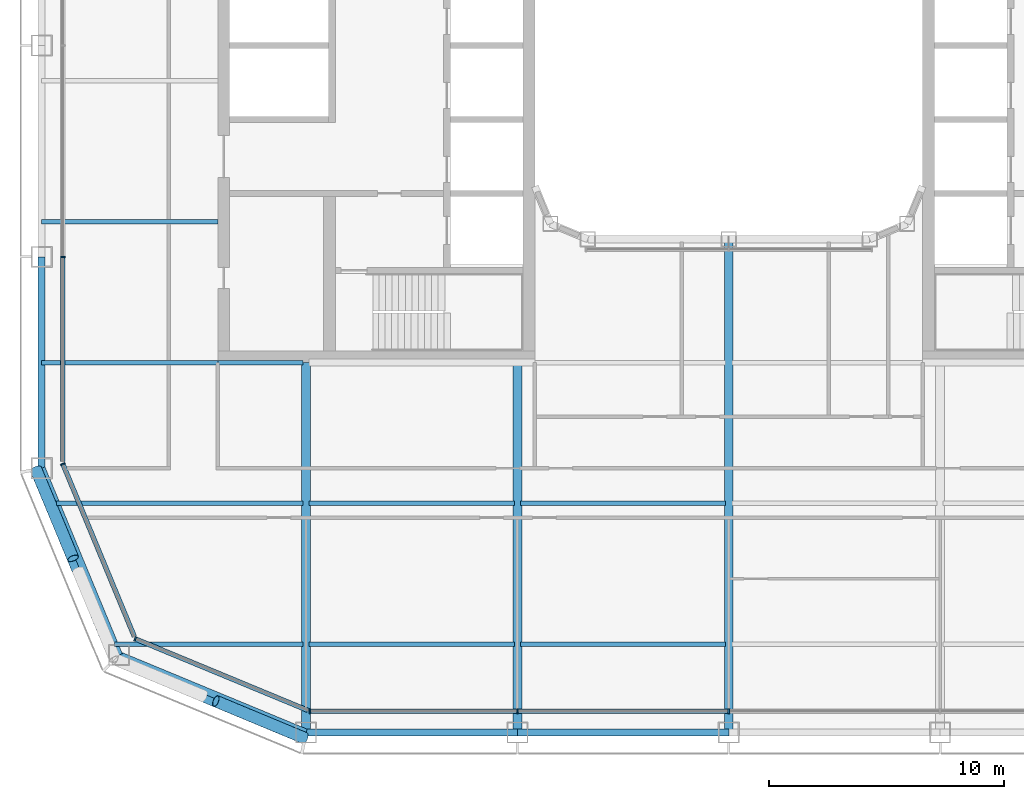
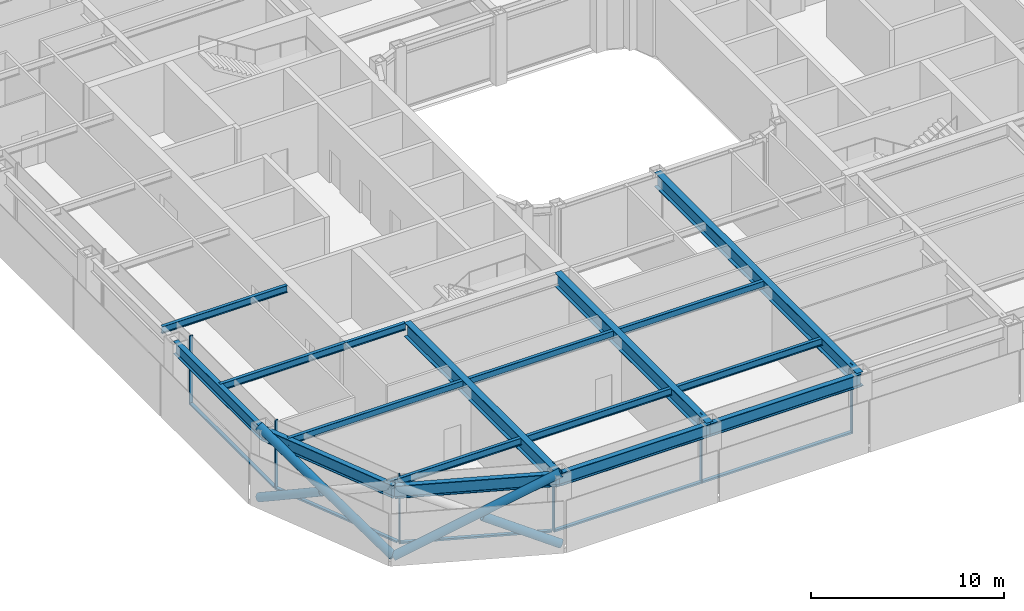
# One storey, part 2 of 23: 17 beams, 15 members, 4 elements without a shape of their own.
"""IFC4 building model written with IfcOpenShell, lengths in metres."""

from ifc_helpers import new_model, si_unit, direction, frame, origin, origin_2d, place, context, subcontext, project, spatial, rectangle, hollow_circle, i_section, extrude, material, layer, layer_set, material_profile, profile_set, type_object, element, aggregate, save


model = new_model("IFC4")

# Units and contexts
model_context = context("Model", 3, precision=1e-05, world=origin(), true_north=direction((0.0, 1.0)))
body_context = subcontext(model_context, "Body", "Model", "MODEL_VIEW")
ifc_project = project(units=[si_unit("LENGTHUNIT", "METRE"), si_unit("AREAUNIT", "SQUARE_METRE"), si_unit("VOLUMEUNIT", "CUBIC_METRE"), si_unit("PLANEANGLEUNIT", "RADIAN"), si_unit("MASSUNIT", "GRAM", prefix="KILO")], contexts=[model_context])

# Site, building, storey
site_placement = place(None, origin())
site = spatial("IfcSite", under=ifc_project, at=site_placement, CompositionType="ELEMENT")
building_placement = place(site_placement, origin())
building = spatial("IfcBuilding", under=site, at=building_placement, Name="Siwar Civic Tower", CompositionType="ELEMENT")
storey_placement = place(building_placement, frame((0.0, 0.0, 167.699951171875)))
storey = spatial("IfcBuildingStorey", under=building, at=storey_placement, Name="L36", CompositionType="ELEMENT", Elevation=167.699951171875)

# Curtain wall, members
ifc_material_1 = material(Name="Aluminium and glass", Category="aluminium")
ifc_layer_1 = layer(ifc_material_1, 0.199951171875)
ifc_layer_set_1 = layer_set([ifc_layer_1], Name="Aluminium and glass")
curtain_wall_type_1 = type_object("IfcCurtainWallType", Name="ENV-CW-B", PredefinedType="NOTDEFINED", material=ifc_layer_set_1)
curtain_wall_1_placement = place(storey_placement, origin())
curtain_wall_1 = element("IfcCurtainWall", 1, at=curtain_wall_1_placement, inside=storey, type_object=curtain_wall_type_1, Name="Curtain wall B S", PredefinedType="NOTDEFINED")
ifc_material_2 = material(Name="Aluminium 6063-T6", Category="aluminium")
ifc_material_profile_1 = material_profile(ifc_material_2, rectangle(XDim=0.199951171875, YDim=0.06494140625, at=origin_2d()), Name="AL 200x65")
ifc_profile_set_1 = profile_set([ifc_material_profile_1], Name="Aluminium 6063-T6")
member_type_1 = type_object("IfcMemberType", Name="ENV-MULLION-B", PredefinedType="MULLION", material=ifc_profile_set_1)
member_1_placement = place(storey_placement, frame((-17.821044921875, -28.35009765625, 0.0), z_axis=(0.0, 0.0, 1.0), x_axis=(0.0, 1.0, 0.0)))
member_1 = element("IfcMember", 2, at=member_1_placement, type_object=member_type_1, Name="Mullion B S 1", PredefinedType="MULLION", context=body_context, shape_type="SweptSolid", body=[
    extrude(rectangle(XDim=0.199951171875, YDim=0.06494140625, at=origin_2d()), origin(), (0.0, 0.0, 1.0), 4.35009765625),
])
member_2_placement = place(storey_placement, frame((-9.0, -28.35009765625, 0.0), z_axis=(0.0, 0.0, 1.0), x_axis=(0.0, 1.0, 0.0)))
member_2 = element("IfcMember", 3, at=member_2_placement, type_object=member_type_1, Name="Mullion B S 2", PredefinedType="MULLION", context=body_context, shape_type="SweptSolid", body=[
    extrude(rectangle(XDim=0.199951171875, YDim=0.06494140625, at=origin_2d()), origin(), (0.0, 0.0, 1.0), 4.35009765625),
])
member_3_placement = place(storey_placement, frame((0.0, -28.35009765625, 0.0), z_axis=(0.0, 0.0, 1.0), x_axis=(0.0, 1.0, 0.0)))
member_3 = element("IfcMember", 4, at=member_3_placement, type_object=member_type_1, Name="Mullion B S 3", PredefinedType="MULLION", context=body_context, shape_type="SweptSolid", body=[
    extrude(rectangle(XDim=0.199951171875, YDim=0.06494140625, at=origin_2d()), origin(), (0.0, 0.0, 1.0), 4.35009765625),
])

# Curtain wall, member
curtain_wall_2_placement = place(storey_placement, origin())
curtain_wall_2 = element("IfcCurtainWall", 5, at=curtain_wall_2_placement, inside=storey, type_object=curtain_wall_type_1, Name="Curtain wall B W", PredefinedType="NOTDEFINED")
member_4_placement = place(storey_placement, frame((-28.35009765625, -9.0, 0.0), z_axis=(0.0, 0.0, 1.0), x_axis=(1.0, 0.0, 0.0)))
member_4 = element("IfcMember", 6, at=member_4_placement, type_object=member_type_1, Name="Mullion B W 4", PredefinedType="MULLION", context=body_context, shape_type="SweptSolid", body=[
    extrude(rectangle(XDim=0.199951171875, YDim=0.06494140625, at=origin_2d()), origin(), (0.0, 0.0, 1.0), 4.35009765625),
])

ifc_material_3 = material(Name="Aluminium clad insulated panel", Category="aluminium")
ifc_layer_2 = layer(ifc_material_3, 0.199951171875)
ifc_layer_set_2 = layer_set([ifc_layer_2], Name="Aluminium clad insulated panel")
curtain_wall_type_2 = type_object("IfcCurtainWallType", Name="ENV-CW-BX", PredefinedType="NOTDEFINED", material=ifc_layer_set_2)
curtain_wall_3_placement = place(storey_placement, origin())
curtain_wall_3 = element("IfcCurtainWall", 7, at=curtain_wall_3_placement, inside=storey, type_object=curtain_wall_type_2, Name="Curtain wall B SW1", PredefinedType="NOTDEFINED")
member_5_placement = place(storey_placement, frame((-28.35009765625, -17.821044921875, 0.0), z_axis=(0.0, 0.0, 1.0), x_axis=(0.923879532511, 0.382683432365, 0.0)))
member_5 = element("IfcMember", 8, at=member_5_placement, type_object=member_type_1, Name="Mullion B SW1 1", PredefinedType="MULLION", context=body_context, shape_type="SweptSolid", body=[
    extrude(rectangle(XDim=0.199951171875, YDim=0.06494140625, at=origin_2d()), origin(), (0.0, 0.0, 1.0), 4.35009765625),
])

curtain_wall_4_placement = place(storey_placement, origin())
curtain_wall_4 = element("IfcCurtainWall", 9, at=curtain_wall_4_placement, inside=storey, type_object=curtain_wall_type_2, Name="Curtain wall B SW2", PredefinedType="NOTDEFINED")
member_6_placement = place(storey_placement, frame((-25.26611328125, -25.26611328125, 0.0), z_axis=(0.0, 0.0, 1.0), x_axis=(0.382683432365, 0.923879532511, 0.0)))
member_6 = element("IfcMember", 10, at=member_6_placement, type_object=member_type_1, Name="Mullion B SW2 1", PredefinedType="MULLION", context=body_context, shape_type="SweptSolid", body=[
    extrude(rectangle(XDim=0.199951171875, YDim=0.06494140625, at=origin_2d()), origin(), (0.0, 0.0, 1.0), 4.35009765625),
])

# Member
ifc_material_4 = material(Name="Aluminium 6063-T6", Category="aluminium")
ifc_material_profile_2 = material_profile(ifc_material_4, rectangle(XDim=0.199951171875, YDim=0.110107421875, at=origin_2d()), Name="AL 200x110")
ifc_profile_set_2 = profile_set([ifc_material_profile_2], Name="Aluminium 6063-T6")
member_type_2 = type_object("IfcMemberType", Name="ENV-TRANSOM-B", PredefinedType="USERDEFINED", material=ifc_profile_set_2)
member_7_placement = place(storey_placement, frame((-17.78857421875, -28.35009765625, 0.054931640625), z_axis=(1.0, 0.0, 0.0), x_axis=(0.0, 1.0, 0.0)))
member_7 = element("IfcMember", 11, at=member_7_placement, type_object=member_type_2, Name="Transom B S 1", ObjectType="TRANSOM", PredefinedType="USERDEFINED", context=body_context, shape_type="SweptSolid", body=[
    extrude(rectangle(XDim=0.199951171875, YDim=0.110107421875, at=origin_2d()), origin(), (0.0, 0.0, 1.0), 8.756103515625),
])

member_8_placement = place(storey_placement, frame((-8.967529296875, -28.35009765625, 0.054931640625), z_axis=(1.0, 0.0, 0.0), x_axis=(0.0, 1.0, 0.0)))
member_8 = element("IfcMember", 12, at=member_8_placement, type_object=member_type_2, Name="Transom B S 2", ObjectType="TRANSOM", PredefinedType="USERDEFINED", context=body_context, shape_type="SweptSolid", body=[
    extrude(rectangle(XDim=0.199951171875, YDim=0.110107421875, at=origin_2d()), origin(), (0.0, 0.0, 1.0), 8.93505859375),
])

aggregate(curtain_wall_1, [member_1, member_2, member_3, member_7, member_8])

member_9_placement = place(storey_placement, frame((-28.35009765625, -9.032470703125, 0.054931640625), z_axis=(0.0, -1.0, 0.0), x_axis=(1.0, 0.0, 0.0)))
member_9 = element("IfcMember", 13, at=member_9_placement, type_object=member_type_2, Name="Transom B W 4", ObjectType="TRANSOM", PredefinedType="USERDEFINED", context=body_context, shape_type="SweptSolid", body=[
    extrude(rectangle(XDim=0.199951171875, YDim=0.110107421875, at=origin_2d()), origin(), (0.0, 0.0, 1.0), 8.6748046875),
])

aggregate(curtain_wall_2, [member_4, member_9])

member_10_placement = place(storey_placement, frame((-28.337646484375, -17.85107421875, 0.054931640625), z_axis=(0.382699695651, -0.92387279587, 0.0), x_axis=(0.92387279587, 0.382699695651, 0.0)))
member_10 = element("IfcMember", 14, at=member_10_placement, type_object=member_type_2, Name="Transom B SW1 1", ObjectType="TRANSOM", PredefinedType="USERDEFINED", context=body_context, shape_type="SweptSolid", body=[
    extrude(rectangle(XDim=0.199951171875, YDim=0.110107421875, at=origin_2d()), origin(), (0.0, 0.0, 1.0), 7.912353515625),
])

aggregate(curtain_wall_3, [member_5, member_10])

member_11_placement = place(storey_placement, frame((-25.236083984375, -25.278564453125, 0.054931640625), z_axis=(0.923883705044, -0.382673358825, 0.0), x_axis=(0.382673358825, 0.923883705044, 0.0)))
member_11 = element("IfcMember", 15, at=member_11_placement, type_object=member_type_2, Name="Transom B SW2 1", ObjectType="TRANSOM", PredefinedType="USERDEFINED", context=body_context, shape_type="SweptSolid", body=[
    extrude(rectangle(XDim=0.199951171875, YDim=0.110107421875, at=origin_2d()), origin(), (0.0, 0.0, 1.0), 7.912353515625),
])

aggregate(curtain_wall_4, [member_6, member_11])

# Members
ifc_material_5 = material(Name="Steel S355", Category="steel")
ifc_material_profile_3 = material_profile(ifc_material_5, hollow_circle(Radius=0.25390625, WallThickness=0.02490234375, at=origin_2d()), Name="CHS508x25")
ifc_profile_set_3 = profile_set([ifc_material_profile_3], Name="Steel S355")
member_type_3 = type_object("IfcMemberType", Name="STR-BR-CHS508x25", PredefinedType="BRACE", material=ifc_profile_set_3)
member_12_placement = place(storey_placement, frame((-26.1318359375, -26.1318359375, 0.0), z_axis=(0.821142553604, -0.341671493852, 0.457149315816), x_axis=(0.384163874976, 0.923264922524, 0.0)))
element("IfcMember", 16, at=member_12_placement, inside=storey, type_object=member_type_3, Name="L36/brc/BSW1-15-0-1", PredefinedType="BRACE", context=body_context, shape_type="SweptSolid", body=[
    extrude(hollow_circle(Radius=0.25390625, WallThickness=0.02490234375, at=origin_2d()), origin(), (0.0, 0.0, 1.0), 9.843505859375),
])
member_13_placement = place(storey_placement, frame((-18.048828125, -29.4951171875, 0.0), z_axis=(-0.821126041429, 0.341677318012, 0.457174621391), x_axis=(-0.384176042158, -0.923259859753, 0.0)))
element("IfcMember", 17, at=member_13_placement, inside=storey, type_object=member_type_3, Name="L36/brc/BSW1-15-0-2", PredefinedType="BRACE", context=body_context, shape_type="SweptSolid", body=[
    extrude(hollow_circle(Radius=0.25390625, WallThickness=0.02490234375, at=origin_2d()), origin(), (0.0, 0.0, 1.0), 4.614501953125),
])
member_14_placement = place(storey_placement, frame((-26.1318359375, -26.1318359375, 0.0), z_axis=(-0.341671493852, 0.821142553604, 0.457149315816), x_axis=(-0.923264922524, -0.384163874976, 0.0)))
element("IfcMember", 18, at=member_14_placement, inside=storey, type_object=member_type_3, Name="L36/brc/BSW1-15-0-0", PredefinedType="BRACE", context=body_context, shape_type="SweptSolid", body=[
    extrude(hollow_circle(Radius=0.25390625, WallThickness=0.02490234375, at=origin_2d()), origin(), (0.0, 0.0, 1.0), 9.843505859375),
])
member_15_placement = place(storey_placement, frame((-29.4951171875, -18.048828125, 0.0), z_axis=(0.341677318012, -0.821126041429, 0.457174621391), x_axis=(0.923259859753, 0.384176042158, 0.0)))
element("IfcMember", 19, at=member_15_placement, inside=storey, type_object=member_type_3, Name="L36/brc/BSW1-15-0-4", PredefinedType="BRACE", context=body_context, shape_type="SweptSolid", body=[
    extrude(hollow_circle(Radius=0.25390625, WallThickness=0.02490234375, at=origin_2d()), origin(), (0.0, 0.0, 1.0), 4.614501953125),
])

# Beams
ifc_material_6 = material(Name="Steel S355", Category="steel")
ifc_material_profile_4 = material_profile(ifc_material_6, i_section(OverallWidth=0.18994140625, OverallDepth=0.449951171875, WebThickness=0.009521484375, FlangeThickness=0.0146484375, FilletRadius=0.02099609375, at=origin_2d()), Name="IPE450")
ifc_profile_set_4 = profile_set([ifc_material_profile_4], Name="Steel S355")
beam_type_1 = type_object("IfcBeamType", Name="STR-FB-IPE450", PredefinedType="JOIST", material=ifc_profile_set_4)
beam_1_placement = place(storey_placement, frame((-26.143310546875, -25.5, 4.125), z_axis=(1.0, 0.0, 0.0), x_axis=(0.0, 1.0, 0.0)))
element("IfcBeam", 20, at=beam_1_placement, inside=storey, type_object=beam_type_1, Name="L36/bm/F001", PredefinedType="JOIST", context=body_context, shape_type="SweptSolid", body=[
    extrude(i_section(OverallWidth=0.18994140625, OverallDepth=0.449951171875, WebThickness=0.009521484375, FlangeThickness=0.0146484375, FilletRadius=0.02099609375, at=origin_2d()), origin(), (0.0, 0.0, 1.0), 8.013427734375),
])
for number, where, z_axis, x_axis, name in (
    (21, (-17.8701171875, -25.5, 4.125), (1.0, 0.0, 0.0), (0.0, 1.0, 0.0), "L36/bm/F002"),
    (22, (-8.8701171875, -25.5, 4.125), (1.0, 0.0, 0.0), (0.0, 1.0, 0.0), "L36/bm/F003"),
):
    element("IfcBeam", number, at=place(storey_placement, frame(where, z_axis=z_axis, x_axis=x_axis)), inside=storey, type_object=beam_type_1, Name=name, PredefinedType="JOIST", context=body_context, shape_type="SweptSolid", body=[
        extrude(i_section(OverallWidth=0.18994140625, OverallDepth=0.449951171875, WebThickness=0.009521484375, FlangeThickness=0.0146484375, FilletRadius=0.02099609375, at=origin_2d()), origin(), (0.0, 0.0, 1.0), 8.740234375),
    ])
beam_2_placement = place(storey_placement, frame((-28.628662109375, -19.5, 4.125), z_axis=(1.0, 0.0, 0.0), x_axis=(0.0, 1.0, 0.0)))
element("IfcBeam", 23, at=beam_2_placement, inside=storey, type_object=beam_type_1, Name="L36/bm/F007", PredefinedType="JOIST", context=body_context, shape_type="SweptSolid", body=[
    extrude(i_section(OverallWidth=0.18994140625, OverallDepth=0.449951171875, WebThickness=0.009521484375, FlangeThickness=0.0146484375, FilletRadius=0.02099609375, at=origin_2d()), origin(), (0.0, 0.0, 1.0), 10.498779296875),
])
for number, where, z_axis, x_axis, name in (
    (24, (-17.8701171875, -19.5, 4.125), (1.0, 0.0, 0.0), (0.0, 1.0, 0.0), "L36/bm/F008"),
    (25, (-8.8701171875, -19.5, 4.125), (1.0, 0.0, 0.0), (0.0, 1.0, 0.0), "L36/bm/F009"),
):
    element("IfcBeam", number, at=place(storey_placement, frame(where, z_axis=z_axis, x_axis=x_axis)), inside=storey, type_object=beam_type_1, Name=name, PredefinedType="JOIST", context=body_context, shape_type="SweptSolid", body=[
        extrude(i_section(OverallWidth=0.18994140625, OverallDepth=0.449951171875, WebThickness=0.009521484375, FlangeThickness=0.0146484375, FilletRadius=0.02099609375, at=origin_2d()), origin(), (0.0, 0.0, 1.0), 8.740234375),
    ])
beam_3_placement = place(storey_placement, frame((-29.25, -13.5, 4.125), z_axis=(1.0, 0.0, 0.0), x_axis=(0.0, 1.0, 0.0)))
element("IfcBeam", 26, at=beam_3_placement, inside=storey, type_object=beam_type_1, Name="L36/bm/F013", PredefinedType="JOIST", context=body_context, shape_type="SweptSolid", body=[
    extrude(i_section(OverallWidth=0.18994140625, OverallDepth=0.449951171875, WebThickness=0.009521484375, FlangeThickness=0.0146484375, FilletRadius=0.02099609375, at=origin_2d()), origin(), (0.0, 0.0, 1.0), 7.5),
])
beam_4_placement = place(storey_placement, frame((-21.75, -13.5, 4.125), z_axis=(1.0, 0.0, 0.0), x_axis=(0.0, 1.0, 0.0)))
element("IfcBeam", 27, at=beam_4_placement, inside=storey, type_object=beam_type_1, Name="L36/bm/F014", PredefinedType="JOIST", context=body_context, shape_type="SweptSolid", body=[
    extrude(i_section(OverallWidth=0.18994140625, OverallDepth=0.449951171875, WebThickness=0.009521484375, FlangeThickness=0.0146484375, FilletRadius=0.02099609375, at=origin_2d()), origin(), (0.0, 0.0, 1.0), 3.6201171875),
])
beam_5_placement = place(storey_placement, frame((-29.25, -7.5, 4.125), z_axis=(1.0, 0.0, 0.0), x_axis=(0.0, 1.0, 0.0)))
element("IfcBeam", 28, at=beam_5_placement, inside=storey, type_object=beam_type_1, Name="L36/bm/F021", PredefinedType="JOIST", context=body_context, shape_type="SweptSolid", body=[
    extrude(i_section(OverallWidth=0.18994140625, OverallDepth=0.449951171875, WebThickness=0.009521484375, FlangeThickness=0.0146484375, FilletRadius=0.02099609375, at=origin_2d()), origin(), (0.0, 0.0, 1.0), 7.5),
])
ifc_material_7 = material(Name="Steel S355", Category="steel")
ifc_material_profile_5 = material_profile(ifc_material_7, i_section(OverallWidth=0.3798828125, OverallDepth=0.89990234375, WebThickness=0.01611328125, FlangeThickness=0.035888671875, at=origin_2d()), Name="PG900x380x16x36")
ifc_profile_set_5 = profile_set([ifc_material_profile_5], Name="Steel S355")
beam_type_2 = type_object("IfcBeamType", Name="STR-PG-PG900x380x16x36", PredefinedType="BEAM", material=ifc_profile_set_5)
for number, where, z_axis, x_axis, name in (
    (29, (-18.0, -29.25, 3.900146484375), (0.0, 1.0, 0.0), (-1.0, 0.0, 0.0), "L36/bm/G01"),
    (30, (-9.0, -29.25, 3.900146484375), (0.0, 1.0, 0.0), (-1.0, 0.0, 0.0), "L36/bm/G03"),
):
    element("IfcBeam", number, at=place(storey_placement, frame(where, z_axis=z_axis, x_axis=x_axis)), inside=storey, type_object=beam_type_2, Name=name, PredefinedType="BEAM", context=body_context, shape_type="SweptSolid", body=[
        extrude(i_section(OverallWidth=0.3798828125, OverallDepth=0.89990234375, WebThickness=0.01611328125, FlangeThickness=0.035888671875, at=origin_2d()), origin(), (0.0, 0.0, 1.0), 15.75),
    ])
beam_6_placement = place(storey_placement, frame((0.0, -29.25, 3.900146484375), z_axis=(0.0, 1.0, 0.0), x_axis=(-1.0, 0.0, 0.0)))
element("IfcBeam", 31, at=beam_6_placement, inside=storey, type_object=beam_type_2, Name="L36/bm/G05", PredefinedType="BEAM", context=body_context, shape_type="SweptSolid", body=[
    extrude(i_section(OverallWidth=0.3798828125, OverallDepth=0.89990234375, WebThickness=0.01611328125, FlangeThickness=0.035888671875, at=origin_2d()), origin(), (0.0, 0.0, 1.0), 21.0),
])
ifc_material_8 = material(Name="Steel S355", Category="steel")
ifc_material_profile_6 = material_profile(ifc_material_8, i_section(OverallWidth=0.300048828125, OverallDepth=0.800048828125, WebThickness=0.017578125, FlangeThickness=0.032958984375, FilletRadius=0.030029296875, at=origin_2d()), Name="HEB800")
ifc_profile_set_6 = profile_set([ifc_material_profile_6], Name="Steel S355")
beam_type_3 = type_object("IfcBeamType", Name="STR-SB-HEB800", PredefinedType="BEAM", material=ifc_profile_set_6)
for number, where, z_axis, x_axis, name in (
    (32, (-18.0, -29.25, 3.949951171875), (1.0, 0.0, 0.0), (0.0, 1.0, 0.0), "L36/bm/SS-0"),
    (33, (-9.0, -29.25, 3.949951171875), (1.0, 0.0, 0.0), (0.0, 1.0, 0.0), "L36/bm/SS-1"),
    (34, (-29.25, -9.0, 3.949951171875), (0.0, -1.0, 0.0), (1.0, 0.0, 0.0), "L36/bm/SW-3"),
):
    element("IfcBeam", number, at=place(storey_placement, frame(where, z_axis=z_axis, x_axis=x_axis)), inside=storey, type_object=beam_type_3, Name=name, PredefinedType="BEAM", context=body_context, shape_type="SweptSolid", body=[
        extrude(i_section(OverallWidth=0.300048828125, OverallDepth=0.800048828125, WebThickness=0.017578125, FlangeThickness=0.032958984375, FilletRadius=0.030029296875, at=origin_2d()), origin(), (0.0, 0.0, 1.0), 9.0),
    ])
for number, where, z_axis, x_axis, name in (
    (35, (-29.25, -18.0, 3.949951171875), (0.382699877515, -0.923872720536, 0.0), (0.923872720536, 0.382699877515, 0.0), "L36/bm/SSW1-0"),
    (36, (-25.954833984375, -25.954833984375, 3.949951171875), (0.923872720536, -0.382699877515, 0.0), (0.382699877515, 0.923872720536, 0.0), "L36/bm/SSW2-0"),
):
    element("IfcBeam", number, at=place(storey_placement, frame(where, z_axis=z_axis, x_axis=x_axis)), inside=storey, type_object=beam_type_3, Name=name, PredefinedType="BEAM", context=body_context, shape_type="SweptSolid", body=[
        extrude(i_section(OverallWidth=0.300048828125, OverallDepth=0.800048828125, WebThickness=0.017578125, FlangeThickness=0.032958984375, FilletRadius=0.030029296875, at=origin_2d()), origin(), (0.0, 0.0, 1.0), 8.6103515625),
    ])

save(model, "model.ifc")
